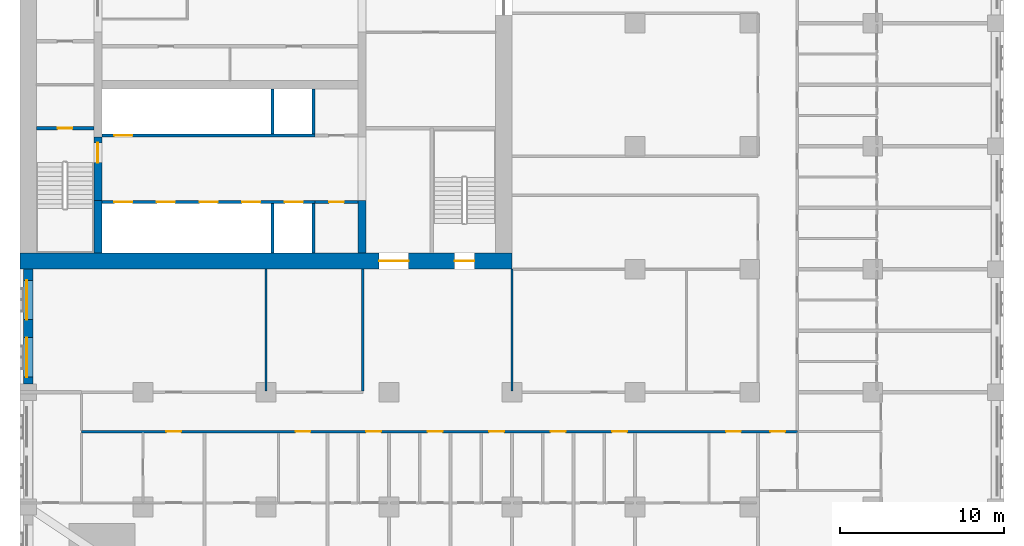
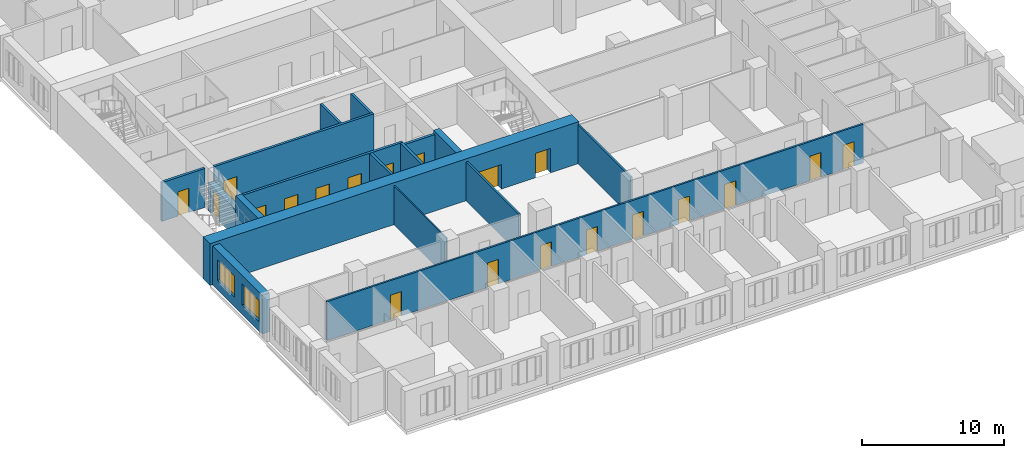
# One storey, part 5 of 15: 20 doors, 17 walls, 2 windows, 22 openings.
"""IFC4 building model written with IfcOpenShell, lengths in metres."""

from ifc_helpers import new_model, si_unit, direction, frame, frame_2d, origin, place, context, subcontext, project, spatial, rectangle, extrude, material, layer, layer_set, type_object, element, fill, save


model = new_model("IFC4")

# Units and contexts
model_context = context("Model", 3, precision=1e-05, world=origin(), true_north=direction((0.0, 1.0)))
body_context = subcontext(model_context, "Body", "Model", "MODEL_VIEW")
ifc_project = project(units=[si_unit("LENGTHUNIT", "METRE"), si_unit("AREAUNIT", "SQUARE_METRE"), si_unit("VOLUMEUNIT", "CUBIC_METRE"), si_unit("PLANEANGLEUNIT", "RADIAN"), si_unit("MASSUNIT", "GRAM", prefix="KILO")], contexts=[model_context])

# Site, building, storey
site_placement = place(None, origin())
site = spatial("IfcSite", under=ifc_project, at=site_placement, CompositionType="ELEMENT")
building_placement = place(site_placement, origin())
building = spatial("IfcBuilding", under=site, at=building_placement, Name="Tamorin Gate", CompositionType="ELEMENT")
storey_placement = place(building_placement, frame((0.0, 0.0, 62.800048828125)))
storey = spatial("IfcBuildingStorey", under=building, at=storey_placement, Name="L14", CompositionType="ELEMENT", Elevation=62.800048828125)

# Wall, openings, windows
ifc_material_1 = material(Name="Precast concrete C40/50", Category="concrete")
ifc_layer_1 = layer(ifc_material_1, 0.60009765625)
ifc_layer_set_1 = layer_set([ifc_layer_1], Name="Precast concrete C40/50")
wall_type_1 = type_object("IfcWallType", Name="Board-marked concrete facade panel 600", PredefinedType="SOLIDWALL", material=ifc_layer_set_1)
wall_1_placement = place(storey_placement, frame((30.5, 60.0, 0.0), z_axis=(0.0, 0.0, 1.0), x_axis=(0.0, -1.0, 0.0)))
wall_1 = element("IfcWall", 1, at=wall_1_placement, inside=storey, type_object=wall_type_1, Name="Facade panel", PredefinedType="SOLIDWALL", context=body_context, shape_type="SweptSolid", body=[
    extrude(rectangle(XDim=7.0, YDim=0.60009765625, at=frame_2d((3.5, 0.0))), origin(), (0.0, 0.0, 1.0), 3.349853515625),
])
opening_1_placement = place(wall_1_placement, frame((4.175048828125, 0.0, 0.800048828125)))
opening_1 = element("IfcOpeningElement", 2, at=opening_1_placement, cuts=wall_1, Name="Opening WN1", PredefinedType="OPENING", context=body_context, shape_type="SweptSolid", body=[
    extrude(rectangle(XDim=2.39990234375, YDim=1.800048828125, at=frame_2d((1.199951171875, 0.89990234375))), frame((0.0, 0.31005859375, 0.0), z_axis=(0.0, -1.0, 0.0), x_axis=(1.0, 0.0, 0.0)), (0.0, 0.0, 1.0), 0.6201171875),
])
opening_2_placement = place(wall_1_placement, frame((0.675048828125, 0.0, 0.800048828125)))
opening_2 = element("IfcOpeningElement", 3, at=opening_2_placement, cuts=wall_1, Name="Opening WN1", PredefinedType="OPENING", context=body_context, shape_type="SweptSolid", body=[
    extrude(rectangle(XDim=2.39990234375, YDim=1.800048828125, at=frame_2d((1.199951171875, 0.89990234375))), frame((0.0, 0.31005859375, 0.0), z_axis=(0.0, -1.0, 0.0), x_axis=(1.0, 0.0, 0.0)), (0.0, 0.0, 1.0), 0.6201171875),
])
ifc_material_2 = material(Name="Clear glass in aluminium frame", Category="aluminium")
window_type = type_object("IfcWindowType", Name="Deep-set window 2400x1800", PartitioningType="SINGLE_PANEL", PredefinedType="WINDOW", material=ifc_material_2)
window_1_placement = place(opening_1_placement, origin())
window_1 = element("IfcWindow", 4, at=window_1_placement, inside=storey, type_object=window_type, Name="Deep-set window", OverallHeight=1.800048828125, OverallWidth=2.39990234375, PartitioningType="SINGLE_PANEL", PredefinedType="WINDOW", context=body_context, shape_type="SweptSolid", body=[
    extrude(rectangle(XDim=2.39990234375, YDim=1.800048828125, at=frame_2d((1.199951171875, 0.89990234375))), frame((0.0, -0.070068359375, 0.0), z_axis=(0.0, -1.0, 0.0), x_axis=(1.0, 0.0, 0.0)), (0.0, 0.0, 1.0), 0.06005859375),
])
fill(opening_1, window_1)
window_2_placement = place(opening_2_placement, origin())
window_2 = element("IfcWindow", 5, at=window_2_placement, inside=storey, type_object=window_type, Name="Deep-set window", OverallHeight=1.800048828125, OverallWidth=2.39990234375, PartitioningType="SINGLE_PANEL", PredefinedType="WINDOW", context=body_context, shape_type="SweptSolid", body=[
    extrude(rectangle(XDim=2.39990234375, YDim=1.800048828125, at=frame_2d((1.199951171875, 0.89990234375))), frame((0.0, -0.070068359375, 0.0), z_axis=(0.0, -1.0, 0.0), x_axis=(1.0, 0.0, 0.0)), (0.0, 0.0, 1.0), 0.06005859375),
])
fill(opening_2, window_2)

# Wall, openings, doors
ifc_material_3 = material(Name="Gypsum board partition")
ifc_layer_2 = layer(ifc_material_3, 0.14990234375)
ifc_layer_set_2 = layer_set([ifc_layer_2], Name="Corridor wall 150")
wall_type_2 = type_object("IfcWallType", Name="Corridor wall 150", PredefinedType="PARTITIONING", material=ifc_layer_set_2)
wall_2_placement = place(storey_placement, frame((33.75, 50.10009765625, 0.0), z_axis=(0.0, 0.0, 1.0), x_axis=(1.0, 0.0, 0.0)))
wall_2 = element("IfcWall", 6, at=wall_2_placement, inside=storey, type_object=wall_type_2, Name="Corridor wall 150", PredefinedType="PARTITIONING", context=body_context, shape_type="SweptSolid", body=[
    extrude(rectangle(XDim=43.64990234375, YDim=0.14990234375, at=frame_2d((21.824951171875, 0.0))), origin(), (0.0, 0.0, 1.0), 3.349853515625),
])
opening_3_placement = place(wall_2_placement, frame((5.175048828125, 0.0, 0.0)))
opening_3 = element("IfcOpeningElement", 7, at=opening_3_placement, cuts=wall_2, Name="Opening DH1003", PredefinedType="OPENING", context=body_context, shape_type="SweptSolid", body=[
    extrude(rectangle(XDim=0.89990234375, YDim=2.10009765625, at=frame_2d((0.449951171875, 1.050048828125))), frame((0.0, 0.0849609375, 0.0), z_axis=(0.0, -1.0, 0.0), x_axis=(1.0, 0.0, 0.0)), (0.0, 0.0, 1.0), 0.169921875),
])
opening_4_placement = place(wall_2_placement, frame((13.050048828125, 0.0, 0.0)))
opening_4 = element("IfcOpeningElement", 8, at=opening_4_placement, cuts=wall_2, Name="Opening DH1006", PredefinedType="OPENING", context=body_context, shape_type="SweptSolid", body=[
    extrude(rectangle(XDim=0.89990234375, YDim=2.10009765625, at=frame_2d((0.449951171875, 1.050048828125))), frame((0.0, 0.0849609375, 0.0), z_axis=(0.0, -1.0, 0.0), x_axis=(1.0, 0.0, 0.0)), (0.0, 0.0, 1.0), 0.169921875),
])
opening_5_placement = place(wall_2_placement, frame((17.362548828125, 0.0, 0.0)))
opening_5 = element("IfcOpeningElement", 9, at=opening_5_placement, cuts=wall_2, Name="Opening DH1009", PredefinedType="OPENING", context=body_context, shape_type="SweptSolid", body=[
    extrude(rectangle(XDim=0.89990234375, YDim=2.10009765625, at=frame_2d((0.449951171875, 1.050048828125))), frame((0.0, 0.0849609375, 0.0), z_axis=(0.0, -1.0, 0.0), x_axis=(1.0, 0.0, 0.0)), (0.0, 0.0, 1.0), 0.169921875),
])
opening_6_placement = place(wall_2_placement, frame((21.112548828125, 0.0, 0.0)))
opening_6 = element("IfcOpeningElement", 10, at=opening_6_placement, cuts=wall_2, Name="Opening DH1012", PredefinedType="OPENING", context=body_context, shape_type="SweptSolid", body=[
    extrude(rectangle(XDim=0.89990234375, YDim=2.10009765625, at=frame_2d((0.449951171875, 1.050048828125))), frame((0.0, 0.0849609375, 0.0), z_axis=(0.0, -1.0, 0.0), x_axis=(1.0, 0.0, 0.0)), (0.0, 0.0, 1.0), 0.169921875),
])
opening_7_placement = place(wall_2_placement, frame((24.862548828125, 0.0, 0.0)))
opening_7 = element("IfcOpeningElement", 11, at=opening_7_placement, cuts=wall_2, Name="Opening DH1015", PredefinedType="OPENING", context=body_context, shape_type="SweptSolid", body=[
    extrude(rectangle(XDim=0.89990234375, YDim=2.10009765625, at=frame_2d((0.449951171875, 1.050048828125))), frame((0.0, 0.0849609375, 0.0), z_axis=(0.0, -1.0, 0.0), x_axis=(1.0, 0.0, 0.0)), (0.0, 0.0, 1.0), 0.169921875),
])
opening_8_placement = place(wall_2_placement, frame((28.612548828125, 0.0, 0.0)))
opening_8 = element("IfcOpeningElement", 12, at=opening_8_placement, cuts=wall_2, Name="Opening DH1018", PredefinedType="OPENING", context=body_context, shape_type="SweptSolid", body=[
    extrude(rectangle(XDim=0.89990234375, YDim=2.10009765625, at=frame_2d((0.449951171875, 1.050048828125))), frame((0.0, 0.0849609375, 0.0), z_axis=(0.0, -1.0, 0.0), x_axis=(1.0, 0.0, 0.0)), (0.0, 0.0, 1.0), 0.169921875),
])
opening_9_placement = place(wall_2_placement, frame((32.362548828125, 0.0, 0.0)))
opening_9 = element("IfcOpeningElement", 13, at=opening_9_placement, cuts=wall_2, Name="Opening DH1021", PredefinedType="OPENING", context=body_context, shape_type="SweptSolid", body=[
    extrude(rectangle(XDim=0.89990234375, YDim=2.10009765625, at=frame_2d((0.449951171875, 1.050048828125))), frame((0.0, 0.0849609375, 0.0), z_axis=(0.0, -1.0, 0.0), x_axis=(1.0, 0.0, 0.0)), (0.0, 0.0, 1.0), 0.169921875),
])
opening_10_placement = place(wall_2_placement, frame((39.300048828125, 0.0, 0.0)))
opening_10 = element("IfcOpeningElement", 14, at=opening_10_placement, cuts=wall_2, Name="Opening DH1024", PredefinedType="OPENING", context=body_context, shape_type="SweptSolid", body=[
    extrude(rectangle(XDim=0.89990234375, YDim=2.10009765625, at=frame_2d((0.449951171875, 1.050048828125))), frame((0.0, 0.0849609375, 0.0), z_axis=(0.0, -1.0, 0.0), x_axis=(1.0, 0.0, 0.0)), (0.0, 0.0, 1.0), 0.169921875),
])
opening_11_placement = place(wall_2_placement, frame((42.0, 0.0, 0.0)))
opening_11 = element("IfcOpeningElement", 15, at=opening_11_placement, cuts=wall_2, Name="Opening DH1081", PredefinedType="OPENING", context=body_context, shape_type="SweptSolid", body=[
    extrude(rectangle(XDim=0.89990234375, YDim=2.10009765625, at=frame_2d((0.449951171875, 1.050048828125))), frame((0.0, 0.0849609375, 0.0), z_axis=(0.0, -1.0, 0.0), x_axis=(1.0, 0.0, 0.0)), (0.0, 0.0, 1.0), 0.169921875),
])
ifc_material_4 = material(Name="Timber door leaf", Category="wood")
door_type_1 = type_object("IfcDoorType", Name="Door 900 x 2100 FD30S", OperationType="NOTDEFINED", PredefinedType="DOOR", material=ifc_material_4)
door_1_placement = place(opening_3_placement, origin())
door_1 = element("IfcDoor", 16, at=door_1_placement, inside=storey, type_object=door_type_1, Name="Door DH1003", OperationType="SINGLE_SWING_RIGHT", OverallHeight=2.10009765625, OverallWidth=0.89990234375, PredefinedType="DOOR", context=body_context, shape_type="SweptSolid", body=[
    extrude(rectangle(XDim=0.89990234375, YDim=2.10009765625, at=frame_2d((0.449951171875, 1.050048828125))), frame((0.0, 0.02490234375, 0.0), z_axis=(0.0, -1.0, 0.0), x_axis=(1.0, 0.0, 0.0)), (0.0, 0.0, 1.0), 0.050048828125),
])
fill(opening_3, door_1)
door_2_placement = place(opening_4_placement, origin())
door_2 = element("IfcDoor", 17, at=door_2_placement, inside=storey, type_object=door_type_1, Name="Door DH1006", OperationType="SINGLE_SWING_RIGHT", OverallHeight=2.10009765625, OverallWidth=0.89990234375, PredefinedType="DOOR", context=body_context, shape_type="SweptSolid", body=[
    extrude(rectangle(XDim=0.89990234375, YDim=2.10009765625, at=frame_2d((0.449951171875, 1.050048828125))), frame((0.0, 0.02490234375, 0.0), z_axis=(0.0, -1.0, 0.0), x_axis=(1.0, 0.0, 0.0)), (0.0, 0.0, 1.0), 0.050048828125),
])
fill(opening_4, door_2)
door_3_placement = place(opening_5_placement, origin())
door_3 = element("IfcDoor", 18, at=door_3_placement, inside=storey, type_object=door_type_1, Name="Door DH1009", OperationType="SINGLE_SWING_RIGHT", OverallHeight=2.10009765625, OverallWidth=0.89990234375, PredefinedType="DOOR", context=body_context, shape_type="SweptSolid", body=[
    extrude(rectangle(XDim=0.89990234375, YDim=2.10009765625, at=frame_2d((0.449951171875, 1.050048828125))), frame((0.0, 0.02490234375, 0.0), z_axis=(0.0, -1.0, 0.0), x_axis=(1.0, 0.0, 0.0)), (0.0, 0.0, 1.0), 0.050048828125),
])
fill(opening_5, door_3)
door_4_placement = place(opening_6_placement, origin())
door_4 = element("IfcDoor", 19, at=door_4_placement, inside=storey, type_object=door_type_1, Name="Door DH1012", OperationType="SINGLE_SWING_RIGHT", OverallHeight=2.10009765625, OverallWidth=0.89990234375, PredefinedType="DOOR", context=body_context, shape_type="SweptSolid", body=[
    extrude(rectangle(XDim=0.89990234375, YDim=2.10009765625, at=frame_2d((0.449951171875, 1.050048828125))), frame((0.0, 0.02490234375, 0.0), z_axis=(0.0, -1.0, 0.0), x_axis=(1.0, 0.0, 0.0)), (0.0, 0.0, 1.0), 0.050048828125),
])
fill(opening_6, door_4)
door_5_placement = place(opening_7_placement, origin())
door_5 = element("IfcDoor", 20, at=door_5_placement, inside=storey, type_object=door_type_1, Name="Door DH1015", OperationType="SINGLE_SWING_RIGHT", OverallHeight=2.10009765625, OverallWidth=0.89990234375, PredefinedType="DOOR", context=body_context, shape_type="SweptSolid", body=[
    extrude(rectangle(XDim=0.89990234375, YDim=2.10009765625, at=frame_2d((0.449951171875, 1.050048828125))), frame((0.0, 0.02490234375, 0.0), z_axis=(0.0, -1.0, 0.0), x_axis=(1.0, 0.0, 0.0)), (0.0, 0.0, 1.0), 0.050048828125),
])
fill(opening_7, door_5)
door_6_placement = place(opening_8_placement, origin())
door_6 = element("IfcDoor", 21, at=door_6_placement, inside=storey, type_object=door_type_1, Name="Door DH1018", OperationType="SINGLE_SWING_RIGHT", OverallHeight=2.10009765625, OverallWidth=0.89990234375, PredefinedType="DOOR", context=body_context, shape_type="SweptSolid", body=[
    extrude(rectangle(XDim=0.89990234375, YDim=2.10009765625, at=frame_2d((0.449951171875, 1.050048828125))), frame((0.0, 0.02490234375, 0.0), z_axis=(0.0, -1.0, 0.0), x_axis=(1.0, 0.0, 0.0)), (0.0, 0.0, 1.0), 0.050048828125),
])
fill(opening_8, door_6)
door_7_placement = place(opening_9_placement, origin())
door_7 = element("IfcDoor", 22, at=door_7_placement, inside=storey, type_object=door_type_1, Name="Door DH1021", OperationType="SINGLE_SWING_RIGHT", OverallHeight=2.10009765625, OverallWidth=0.89990234375, PredefinedType="DOOR", context=body_context, shape_type="SweptSolid", body=[
    extrude(rectangle(XDim=0.89990234375, YDim=2.10009765625, at=frame_2d((0.449951171875, 1.050048828125))), frame((0.0, 0.02490234375, 0.0), z_axis=(0.0, -1.0, 0.0), x_axis=(1.0, 0.0, 0.0)), (0.0, 0.0, 1.0), 0.050048828125),
])
fill(opening_9, door_7)
door_8_placement = place(opening_10_placement, origin())
door_8 = element("IfcDoor", 23, at=door_8_placement, inside=storey, type_object=door_type_1, Name="Door DH1024", OperationType="SINGLE_SWING_RIGHT", OverallHeight=2.10009765625, OverallWidth=0.89990234375, PredefinedType="DOOR", context=body_context, shape_type="SweptSolid", body=[
    extrude(rectangle(XDim=0.89990234375, YDim=2.10009765625, at=frame_2d((0.449951171875, 1.050048828125))), frame((0.0, 0.02490234375, 0.0), z_axis=(0.0, -1.0, 0.0), x_axis=(1.0, 0.0, 0.0)), (0.0, 0.0, 1.0), 0.050048828125),
])
fill(opening_10, door_8)
door_9_placement = place(opening_11_placement, origin())
door_9 = element("IfcDoor", 24, at=door_9_placement, inside=storey, type_object=door_type_1, Name="Door DH1081", OperationType="SINGLE_SWING_LEFT", OverallHeight=2.10009765625, OverallWidth=0.89990234375, PredefinedType="DOOR", context=body_context, shape_type="SweptSolid", body=[
    extrude(rectangle(XDim=0.89990234375, YDim=2.10009765625, at=frame_2d((0.449951171875, 1.050048828125))), frame((0.0, 0.02490234375, 0.0), z_axis=(0.0, -1.0, 0.0), x_axis=(1.0, 0.0, 0.0)), (0.0, 0.0, 1.0), 0.050048828125),
])
fill(opening_11, door_9)

ifc_material_5 = material(Name="Concrete C32/40", Category="concrete")
ifc_layer_3 = layer(ifc_material_5, 0.199951171875)
ifc_layer_set_3 = layer_set([ifc_layer_3], Name="Lift lobby face wall 200 EI 120")
wall_type_3 = type_object("IfcWallType", Name="Lift lobby face wall 200 EI 120", PredefinedType="SOLIDWALL", material=ifc_layer_set_3)
wall_3_placement = place(storey_placement, frame((35.0, 64.10009765625, 0.0), z_axis=(0.0, 0.0, 1.0), x_axis=(1.0, 0.0, 0.0)))
wall_3 = element("IfcWall", 25, at=wall_3_placement, inside=storey, type_object=wall_type_3, Name="Lift lobby face wall", PredefinedType="SOLIDWALL", context=body_context, shape_type="SweptSolid", body=[
    extrude(rectangle(XDim=13.0, YDim=0.199951171875, at=frame_2d((6.5, 0.0))), origin(), (0.0, 0.0, 1.0), 3.599853515625),
])
opening_12_placement = place(wall_3_placement, frame((0.75, 0.0, 0.0)))
opening_12 = element("IfcOpeningElement", 26, at=opening_12_placement, cuts=wall_3, Name="Opening LD1", PredefinedType="OPENING", context=body_context, shape_type="SweptSolid", body=[
    extrude(rectangle(XDim=1.10009765625, YDim=2.10009765625, at=frame_2d((0.550048828125, 1.050048828125))), frame((0.0, 0.10986328125, 0.0), z_axis=(0.0, -1.0, 0.0), x_axis=(1.0, 0.0, 0.0)), (0.0, 0.0, 1.0), 0.219970703125),
])
opening_13_placement = place(wall_3_placement, frame((3.35009765625, 0.0, 0.0)))
opening_13 = element("IfcOpeningElement", 27, at=opening_13_placement, cuts=wall_3, Name="Opening LD2", PredefinedType="OPENING", context=body_context, shape_type="SweptSolid", body=[
    extrude(rectangle(XDim=1.10009765625, YDim=2.10009765625, at=frame_2d((0.550048828125, 1.050048828125))), frame((0.0, 0.10986328125, 0.0), z_axis=(0.0, -1.0, 0.0), x_axis=(1.0, 0.0, 0.0)), (0.0, 0.0, 1.0), 0.219970703125),
])
opening_14_placement = place(wall_3_placement, frame((5.949951171875, 0.0, 0.0)))
opening_14 = element("IfcOpeningElement", 28, at=opening_14_placement, cuts=wall_3, Name="Opening LD3", PredefinedType="OPENING", context=body_context, shape_type="SweptSolid", body=[
    extrude(rectangle(XDim=1.10009765625, YDim=2.10009765625, at=frame_2d((0.550048828125, 1.050048828125))), frame((0.0, 0.10986328125, 0.0), z_axis=(0.0, -1.0, 0.0), x_axis=(1.0, 0.0, 0.0)), (0.0, 0.0, 1.0), 0.219970703125),
])
opening_15_placement = place(wall_3_placement, frame((8.550048828125, 0.0, 0.0)))
opening_15 = element("IfcOpeningElement", 29, at=opening_15_placement, cuts=wall_3, Name="Opening LD4", PredefinedType="OPENING", context=body_context, shape_type="SweptSolid", body=[
    extrude(rectangle(XDim=1.10009765625, YDim=2.10009765625, at=frame_2d((0.550048828125, 1.050048828125))), frame((0.0, 0.10986328125, 0.0), z_axis=(0.0, -1.0, 0.0), x_axis=(1.0, 0.0, 0.0)), (0.0, 0.0, 1.0), 0.219970703125),
])
opening_16_placement = place(wall_3_placement, frame((11.14990234375, 0.0, 0.0)))
opening_16 = element("IfcOpeningElement", 30, at=opening_16_placement, cuts=wall_3, Name="Opening LD5", PredefinedType="OPENING", context=body_context, shape_type="SweptSolid", body=[
    extrude(rectangle(XDim=1.10009765625, YDim=2.10009765625, at=frame_2d((0.550048828125, 1.050048828125))), frame((0.0, 0.10986328125, 0.0), z_axis=(0.0, -1.0, 0.0), x_axis=(1.0, 0.0, 0.0)), (0.0, 0.0, 1.0), 0.219970703125),
])
ifc_material_6 = material(Name="Stainless steel sliding door", Category="steel")
door_type_2 = type_object("IfcDoorType", Name="Lift landing door 1100 x 2100 E 90", OperationType="DOUBLE_DOOR_SLIDING", PredefinedType="DOOR", material=ifc_material_6)
door_10_placement = place(opening_12_placement, origin())
door_10 = element("IfcDoor", 31, at=door_10_placement, inside=storey, type_object=door_type_2, Name="LR1 landing door", OperationType="DOUBLE_DOOR_SLIDING", OverallHeight=2.10009765625, OverallWidth=1.10009765625, PredefinedType="DOOR", context=body_context, shape_type="SweptSolid", body=[
    extrude(rectangle(XDim=1.10009765625, YDim=2.10009765625, at=frame_2d((0.550048828125, 1.050048828125))), frame((0.0, 0.02490234375, 0.0), z_axis=(0.0, -1.0, 0.0), x_axis=(1.0, 0.0, 0.0)), (0.0, 0.0, 1.0), 0.050048828125),
])
fill(opening_12, door_10)
door_11_placement = place(opening_13_placement, origin())
door_11 = element("IfcDoor", 32, at=door_11_placement, inside=storey, type_object=door_type_2, Name="LR2 landing door", OperationType="DOUBLE_DOOR_SLIDING", OverallHeight=2.10009765625, OverallWidth=1.10009765625, PredefinedType="DOOR", context=body_context, shape_type="SweptSolid", body=[
    extrude(rectangle(XDim=1.10009765625, YDim=2.10009765625, at=frame_2d((0.550048828125, 1.050048828125))), frame((0.0, 0.02490234375, 0.0), z_axis=(0.0, -1.0, 0.0), x_axis=(1.0, 0.0, 0.0)), (0.0, 0.0, 1.0), 0.050048828125),
])
fill(opening_13, door_11)
door_12_placement = place(opening_14_placement, origin())
door_12 = element("IfcDoor", 33, at=door_12_placement, inside=storey, type_object=door_type_2, Name="LR3 landing door", OperationType="DOUBLE_DOOR_SLIDING", OverallHeight=2.10009765625, OverallWidth=1.10009765625, PredefinedType="DOOR", context=body_context, shape_type="SweptSolid", body=[
    extrude(rectangle(XDim=1.10009765625, YDim=2.10009765625, at=frame_2d((0.550048828125, 1.050048828125))), frame((0.0, 0.02490234375, 0.0), z_axis=(0.0, -1.0, 0.0), x_axis=(1.0, 0.0, 0.0)), (0.0, 0.0, 1.0), 0.050048828125),
])
fill(opening_14, door_12)
door_13_placement = place(opening_15_placement, origin())
door_13 = element("IfcDoor", 34, at=door_13_placement, inside=storey, type_object=door_type_2, Name="LR4 landing door", OperationType="DOUBLE_DOOR_SLIDING", OverallHeight=2.10009765625, OverallWidth=1.10009765625, PredefinedType="DOOR", context=body_context, shape_type="SweptSolid", body=[
    extrude(rectangle(XDim=1.10009765625, YDim=2.10009765625, at=frame_2d((0.550048828125, 1.050048828125))), frame((0.0, 0.02490234375, 0.0), z_axis=(0.0, -1.0, 0.0), x_axis=(1.0, 0.0, 0.0)), (0.0, 0.0, 1.0), 0.050048828125),
])
fill(opening_15, door_13)
door_14_placement = place(opening_16_placement, origin())
door_14 = element("IfcDoor", 35, at=door_14_placement, inside=storey, type_object=door_type_2, Name="LR5 landing door", OperationType="DOUBLE_DOOR_SLIDING", OverallHeight=2.10009765625, OverallWidth=1.10009765625, PredefinedType="DOOR", context=body_context, shape_type="SweptSolid", body=[
    extrude(rectangle(XDim=1.10009765625, YDim=2.10009765625, at=frame_2d((0.550048828125, 1.050048828125))), frame((0.0, 0.02490234375, 0.0), z_axis=(0.0, -1.0, 0.0), x_axis=(1.0, 0.0, 0.0)), (0.0, 0.0, 1.0), 0.050048828125),
])
fill(opening_16, door_14)

# Wall, opening, door
wall_4_placement = place(storey_placement, frame((35.0, 68.14990234375, 0.0), z_axis=(0.0, 0.0, 1.0), x_axis=(1.0, 0.0, 0.0)))
wall_4 = element("IfcWall", 36, at=wall_4_placement, inside=storey, type_object=wall_type_3, Name="Lift lobby face wall", PredefinedType="SOLIDWALL", context=body_context, shape_type="SweptSolid", body=[
    extrude(rectangle(XDim=13.0, YDim=0.199951171875, at=frame_2d((6.5, 0.0))), origin(), (0.0, 0.0, 1.0), 3.599853515625),
])
opening_17_placement = place(wall_4_placement, frame((0.75, 0.0, 0.0)))
opening_17 = element("IfcOpeningElement", 37, at=opening_17_placement, cuts=wall_4, Name="Opening LD6", PredefinedType="OPENING", context=body_context, shape_type="SweptSolid", body=[
    extrude(rectangle(XDim=1.10009765625, YDim=2.10009765625, at=frame_2d((0.550048828125, 1.050048828125))), frame((0.0, 0.10986328125, 0.0), z_axis=(0.0, -1.0, 0.0), x_axis=(1.0, 0.0, 0.0)), (0.0, 0.0, 1.0), 0.219970703125),
])
door_15_placement = place(opening_17_placement, origin())
door_15 = element("IfcDoor", 38, at=door_15_placement, inside=storey, type_object=door_type_2, Name="LR6 landing door", OperationType="DOUBLE_DOOR_SLIDING", OverallHeight=2.10009765625, OverallWidth=1.10009765625, PredefinedType="DOOR", context=body_context, shape_type="SweptSolid", body=[
    extrude(rectangle(XDim=1.10009765625, YDim=2.10009765625, at=frame_2d((0.550048828125, 1.050048828125))), frame((0.0, 0.02490234375, 0.0), z_axis=(0.0, -1.0, 0.0), x_axis=(1.0, 0.0, 0.0)), (0.0, 0.0, 1.0), 0.050048828125),
])
fill(opening_17, door_15)

# Walls
ifc_layer_4 = layer(ifc_material_5, 0.199951171875)
ifc_layer_set_4 = layer_set([ifc_layer_4], Name="Lift shaft wall 200 EI 120")
wall_type_4 = type_object("IfcWallType", Name="Lift shaft wall 200 EI 120", PredefinedType="SOLIDWALL", material=ifc_layer_set_4)
for number, where, z_axis, x_axis, name in (
    (39, (45.39990234375, 61.0, 0.0), (0.0, 0.0, 1.0), (0.0, 1.0, 0.0), "Lift shaft wall"),
    (40, (47.89990234375, 61.0, 0.0), (0.0, 0.0, 1.0), (0.0, 1.0, 0.0), "Lift shaft wall"),
):
    element("IfcWall", number, at=place(storey_placement, frame(where, z_axis=z_axis, x_axis=x_axis)), inside=storey, type_object=wall_type_4, Name=name, PredefinedType="SOLIDWALL", context=body_context, shape_type="SweptSolid", body=[
        extrude(rectangle(XDim=3.0, YDim=0.199951171875, at=frame_2d((1.5, 0.0))), origin(), (0.0, 0.0, 1.0), 3.599853515625),
    ])
for number, where, z_axis, x_axis, name in (
    (41, (45.39990234375, 68.25, 0.0), (0.0, 0.0, 1.0), (0.0, 1.0, 0.0), "Lift shaft wall"),
    (42, (47.89990234375, 68.25, 0.0), (0.0, 0.0, 1.0), (0.0, 1.0, 0.0), "Lift shaft wall"),
):
    element("IfcWall", number, at=place(storey_placement, frame(where, z_axis=z_axis, x_axis=x_axis)), inside=storey, type_object=wall_type_4, Name=name, PredefinedType="SOLIDWALL", context=body_context, shape_type="SweptSolid", body=[
        extrude(rectangle(XDim=2.75, YDim=0.199951171875, at=frame_2d((1.375, 0.0))), origin(), (0.0, 0.0, 1.0), 3.599853515625),
    ])
ifc_layer_5 = layer(ifc_material_3, 0.14990234375)
ifc_layer_set_5 = layer_set([ifc_layer_5], Name="Lobby wall 150")
wall_type_5 = type_object("IfcWallType", Name="Lobby wall 150", PredefinedType="PARTITIONING", material=ifc_layer_set_5)
for number, where, z_axis, x_axis, name in (
    (43, (50.89990234375, 52.574951171875, 0.0), (0.0, 0.0, 1.0), (0.0, 1.0, 0.0), "Lobby wall 150"),
    (44, (60.0, 52.574951171875, 0.0), (0.0, 0.0, 1.0), (0.0, 1.0, 0.0), "Lobby wall 150"),
):
    element("IfcWall", number, at=place(storey_placement, frame(where, z_axis=z_axis, x_axis=x_axis)), inside=storey, type_object=wall_type_5, Name=name, PredefinedType="PARTITIONING", context=body_context, shape_type="SweptSolid", body=[
        extrude(rectangle(XDim=7.425048828125, YDim=0.14990234375, at=frame_2d((3.71240234375, 0.0))), origin(), (0.0, 0.0, 1.0), 3.349853515625),
    ])
ifc_material_7 = material(Name="Concrete C80/95", Category="concrete")
ifc_layer_6 = layer(ifc_material_7, 0.5)
ifc_layer_set_6 = layer_set([ifc_layer_6], Name="RC core internal wall 500 C80/95")
wall_type_6 = type_object("IfcWallType", Name="RC core internal wall 500 C80/95", PredefinedType="SHEAR", material=ifc_layer_set_6)
for number, where, z_axis, x_axis, name in (
    (45, (34.75, 61.0, 0.0), (0.0, 0.0, 1.0), (0.0, 1.0, 0.0), "Core cross wall L14"),
    (46, (50.85009765625, 61.0, 0.0), (0.0, 0.0, 1.0), (0.0, 1.0, 0.0), "Core cross wall L14"),
):
    element("IfcWall", number, at=place(storey_placement, frame(where, z_axis=z_axis, x_axis=x_axis)), inside=storey, type_object=wall_type_6, Name=name, PredefinedType="SHEAR", context=body_context, shape_type="SweptSolid", body=[
        extrude(rectangle(XDim=3.199951171875, YDim=0.5, at=frame_2d((1.60009765625, 0.0))), origin(), (0.0, 0.0, 1.0), 3.599853515625),
    ])

# Wall, openings, doors
ifc_layer_7 = layer(ifc_material_7, 1.0)
ifc_layer_set_7 = layer_set([ifc_layer_7], Name="RC core wall 1000 C80/95")
wall_type_7 = type_object("IfcWallType", Name="RC core wall 1000 C80/95", PredefinedType="SHEAR", material=ifc_layer_set_7)
wall_5_placement = place(storey_placement, frame((30.0, 60.5, 0.0), z_axis=(0.0, 0.0, 1.0), x_axis=(1.0, 0.0, 0.0)))
wall_5 = element("IfcWall", 47, at=wall_5_placement, inside=storey, type_object=wall_type_7, Name="Core wall L14", PredefinedType="SHEAR", context=body_context, shape_type="SweptSolid", body=[
    extrude(rectangle(XDim=30.0, YDim=1.0, at=frame_2d((15.0, 0.0))), origin(), (0.0, 0.0, 1.0), 3.599853515625),
])
opening_18_placement = place(wall_5_placement, frame((21.89990234375, 0.0, 0.0)))
opening_18 = element("IfcOpeningElement", 48, at=opening_18_placement, cuts=wall_5, Name="Opening DE1", PredefinedType="OPENING", context=body_context, shape_type="SweptSolid", body=[
    extrude(rectangle(XDim=1.800048828125, YDim=2.10009765625, at=frame_2d((0.89990234375, 1.050048828125))), frame((0.0, 0.510009765625, 0.0), z_axis=(0.0, -1.0, 0.0), x_axis=(1.0, 0.0, 0.0)), (0.0, 0.0, 1.0), 1.02001953125),
])
opening_19_placement = place(wall_5_placement, frame((26.5, 0.0, 0.0)))
opening_19 = element("IfcOpeningElement", 49, at=opening_19_placement, cuts=wall_5, Name="Opening DS1", PredefinedType="OPENING", context=body_context, shape_type="SweptSolid", body=[
    extrude(rectangle(XDim=1.199951171875, YDim=2.10009765625, at=frame_2d((0.60009765625, 1.050048828125))), frame((0.0, 0.510009765625, 0.0), z_axis=(0.0, -1.0, 0.0), x_axis=(1.0, 0.0, 0.0)), (0.0, 0.0, 1.0), 1.02001953125),
])
ifc_material_8 = material(Name="Steel fire door", Category="steel")
door_type_3 = type_object("IfcDoorType", Name="Lobby exit double door 1800 x 2100 EI 60", OperationType="DOUBLE_DOOR_SINGLE_SWING", PredefinedType="DOOR", material=ifc_material_8)
door_16_placement = place(opening_18_placement, origin())
door_16 = element("IfcDoor", 50, at=door_16_placement, inside=storey, type_object=door_type_3, Name="Lift lobby A exit door", OperationType="DOUBLE_DOOR_SINGLE_SWING", OverallHeight=2.10009765625, OverallWidth=1.800048828125, PredefinedType="DOOR", context=body_context, shape_type="SweptSolid", body=[
    extrude(rectangle(XDim=1.800048828125, YDim=2.10009765625, at=frame_2d((0.89990234375, 1.050048828125))), frame((0.0, 0.02490234375, 0.0), z_axis=(0.0, -1.0, 0.0), x_axis=(1.0, 0.0, 0.0)), (0.0, 0.0, 1.0), 0.050048828125),
])
fill(opening_18, door_16)
door_type_4 = type_object("IfcDoorType", Name="Stair door 1200 x 2100 EI 90", OperationType="SINGLE_SWING_LEFT", PredefinedType="DOOR", material=ifc_material_8)
door_17_placement = place(opening_19_placement, origin())
door_17 = element("IfcDoor", 51, at=door_17_placement, inside=storey, type_object=door_type_4, Name="ST3 door", OperationType="SINGLE_SWING_LEFT", OverallHeight=2.10009765625, OverallWidth=1.199951171875, PredefinedType="DOOR", context=body_context, shape_type="SweptSolid", body=[
    extrude(rectangle(XDim=1.199951171875, YDim=2.10009765625, at=frame_2d((0.60009765625, 1.050048828125))), frame((0.0, 0.02490234375, 0.0), z_axis=(0.0, -1.0, 0.0), x_axis=(1.0, 0.0, 0.0)), (0.0, 0.0, 1.0), 0.050048828125),
])
fill(opening_19, door_17)

# Wall
ifc_layer_8 = layer(ifc_material_3, 0.10009765625)
ifc_layer_set_8 = layer_set([ifc_layer_8], Name="Room partition 100")
wall_type_8 = type_object("IfcWallType", Name="Room partition 100", PredefinedType="PARTITIONING", material=ifc_layer_set_8)
wall_6_placement = place(storey_placement, frame((45.0, 52.574951171875, 0.0), z_axis=(0.0, 0.0, 1.0), x_axis=(0.0, 1.0, 0.0)))
element("IfcWall", 52, at=wall_6_placement, inside=storey, type_object=wall_type_8, Name="Room partition 100", PredefinedType="PARTITIONING", context=body_context, shape_type="SweptSolid", body=[
    extrude(rectangle(XDim=7.425048828125, YDim=0.10009765625, at=frame_2d((3.71240234375, 0.0))), origin(), (0.0, 0.0, 1.0), 3.349853515625),
])

# Wall, opening, door
ifc_layer_9 = layer(ifc_material_3, 0.199951171875)
ifc_layer_set_9 = layer_set([ifc_layer_9], Name="Service room face wall 200 EI 60")
wall_type_9 = type_object("IfcWallType", Name="Service room face wall 200 EI 60", PredefinedType="PARTITIONING", material=ifc_layer_set_9)
wall_7_placement = place(storey_placement, frame((48.0, 64.10009765625, 0.0), z_axis=(0.0, 0.0, 1.0), x_axis=(1.0, 0.0, 0.0)))
wall_7 = element("IfcWall", 53, at=wall_7_placement, inside=storey, type_object=wall_type_9, Name="Service room face wall", PredefinedType="PARTITIONING", context=body_context, shape_type="SweptSolid", body=[
    extrude(rectangle(XDim=2.60009765625, YDim=0.199951171875, at=frame_2d((1.300048828125, 0.0))), origin(), (0.0, 0.0, 1.0), 3.349853515625),
])
opening_20_placement = place(wall_7_placement, frame((0.85009765625, 0.0, 0.0)))
opening_20 = element("IfcOpeningElement", 54, at=opening_20_placement, cuts=wall_7, Name="Opening DK1", PredefinedType="OPENING", context=body_context, shape_type="SweptSolid", body=[
    extrude(rectangle(XDim=0.89990234375, YDim=2.10009765625, at=frame_2d((0.449951171875, 1.050048828125))), frame((0.0, 0.10986328125, 0.0), z_axis=(0.0, -1.0, 0.0), x_axis=(1.0, 0.0, 0.0)), (0.0, 0.0, 1.0), 0.219970703125),
])
ifc_material_9 = material(Name="Timber fire door", Category="wood")
door_type_5 = type_object("IfcDoorType", Name="Service room door 900 x 2100 EI 60", OperationType="SINGLE_SWING_LEFT", PredefinedType="DOOR", material=ifc_material_9)
door_18_placement = place(opening_20_placement, origin())
door_18 = element("IfcDoor", 55, at=door_18_placement, inside=storey, type_object=door_type_5, Name="Door Pantry", OperationType="SINGLE_SWING_RIGHT", OverallHeight=2.10009765625, OverallWidth=0.89990234375, PredefinedType="DOOR", context=body_context, shape_type="SweptSolid", body=[
    extrude(rectangle(XDim=0.89990234375, YDim=2.10009765625, at=frame_2d((0.449951171875, 1.050048828125))), frame((0.0, 0.02490234375, 0.0), z_axis=(0.0, -1.0, 0.0), x_axis=(1.0, 0.0, 0.0)), (0.0, 0.0, 1.0), 0.050048828125),
])
fill(opening_20, door_18)

ifc_material_10 = material(Name="Concrete C40/50", Category="concrete")
ifc_layer_10 = layer(ifc_material_10, 0.199951171875)
ifc_layer_set_10 = layer_set([ifc_layer_10], Name="Stair enclosure wall 200 EI 120 C40/50")
wall_type_10 = type_object("IfcWallType", Name="Stair enclosure wall 200 EI 120 C40/50", PredefinedType="SOLIDWALL", material=ifc_layer_set_10)
wall_8_placement = place(storey_placement, frame((31.0, 68.60009765625, 0.0), z_axis=(0.0, 0.0, 1.0), x_axis=(1.0, 0.0, 0.0)))
wall_8 = element("IfcWall", 56, at=wall_8_placement, inside=storey, type_object=wall_type_10, Name="Stair enclosure wall", PredefinedType="SOLIDWALL", context=body_context, shape_type="SweptSolid", body=[
    extrude(rectangle(XDim=3.5, YDim=0.199951171875, at=frame_2d((1.75, 0.0))), origin(), (0.0, 0.0, 1.0), 3.349853515625),
])
opening_21_placement = place(wall_8_placement, frame((1.300048828125, 0.0, 0.0)))
opening_21 = element("IfcOpeningElement", 57, at=opening_21_placement, cuts=wall_8, Name="Opening DR1", PredefinedType="OPENING", context=body_context, shape_type="SweptSolid", body=[
    extrude(rectangle(XDim=0.89990234375, YDim=2.10009765625, at=frame_2d((0.449951171875, 1.050048828125))), frame((0.0, 0.10986328125, 0.0), z_axis=(0.0, -1.0, 0.0), x_axis=(1.0, 0.0, 0.0)), (0.0, 0.0, 1.0), 0.219970703125),
])
door_type_6 = type_object("IfcDoorType", Name="Riser access door 900 x 2100 EI 120", OperationType="SINGLE_SWING_LEFT", PredefinedType="DOOR", material=ifc_material_8)
door_19_placement = place(opening_21_placement, origin())
door_19 = element("IfcDoor", 58, at=door_19_placement, inside=storey, type_object=door_type_6, Name="Electrical riser door", OperationType="SINGLE_SWING_LEFT", OverallHeight=2.10009765625, OverallWidth=0.89990234375, PredefinedType="DOOR", context=body_context, shape_type="SweptSolid", body=[
    extrude(rectangle(XDim=0.89990234375, YDim=2.10009765625, at=frame_2d((0.449951171875, 1.050048828125))), frame((0.0, 0.02490234375, 0.0), z_axis=(0.0, -1.0, 0.0), x_axis=(1.0, 0.0, 0.0)), (0.0, 0.0, 1.0), 0.050048828125),
])
fill(opening_21, door_19)

ifc_layer_11 = layer(ifc_material_5, 0.5)
ifc_layer_set_11 = layer_set([ifc_layer_11], Name="Stair lobby infill wall 500 EI 120")
wall_type_11 = type_object("IfcWallType", Name="Stair lobby infill wall 500 EI 120", PredefinedType="SOLIDWALL", material=ifc_layer_set_11)
wall_9_placement = place(storey_placement, frame((34.75, 64.199951171875, 0.0), z_axis=(0.0, 0.0, 1.0), x_axis=(0.0, 1.0, 0.0)))
wall_9 = element("IfcWall", 59, at=wall_9_placement, inside=storey, type_object=wall_type_11, Name="Stair lobby infill wall", PredefinedType="SOLIDWALL", context=body_context, shape_type="SweptSolid", body=[
    extrude(rectangle(XDim=3.85009765625, YDim=0.5, at=frame_2d((1.925048828125, 0.0))), origin(), (0.0, 0.0, 1.0), 2.39990234375),
])
opening_22_placement = place(wall_9_placement, frame((2.300048828125, 0.0, 0.0)))
opening_22 = element("IfcOpeningElement", 60, at=opening_22_placement, cuts=wall_9, Name="Opening DS1", PredefinedType="OPENING", context=body_context, shape_type="SweptSolid", body=[
    extrude(rectangle(XDim=1.199951171875, YDim=2.10009765625, at=frame_2d((0.60009765625, 1.050048828125))), frame((0.0, 0.260009765625, 0.0), z_axis=(0.0, -1.0, 0.0), x_axis=(1.0, 0.0, 0.0)), (0.0, 0.0, 1.0), 0.52001953125),
])
door_20_placement = place(opening_22_placement, origin())
door_20 = element("IfcDoor", 61, at=door_20_placement, inside=storey, type_object=door_type_4, Name="ST1 door", OperationType="SINGLE_SWING_LEFT", OverallHeight=2.10009765625, OverallWidth=1.199951171875, PredefinedType="DOOR", context=body_context, shape_type="SweptSolid", body=[
    extrude(rectangle(XDim=1.199951171875, YDim=2.10009765625, at=frame_2d((0.60009765625, 1.050048828125))), frame((0.0, 0.02490234375, 0.0), z_axis=(0.0, -1.0, 0.0), x_axis=(1.0, 0.0, 0.0)), (0.0, 0.0, 1.0), 0.050048828125),
])
fill(opening_22, door_20)

save(model, "model.ifc")
